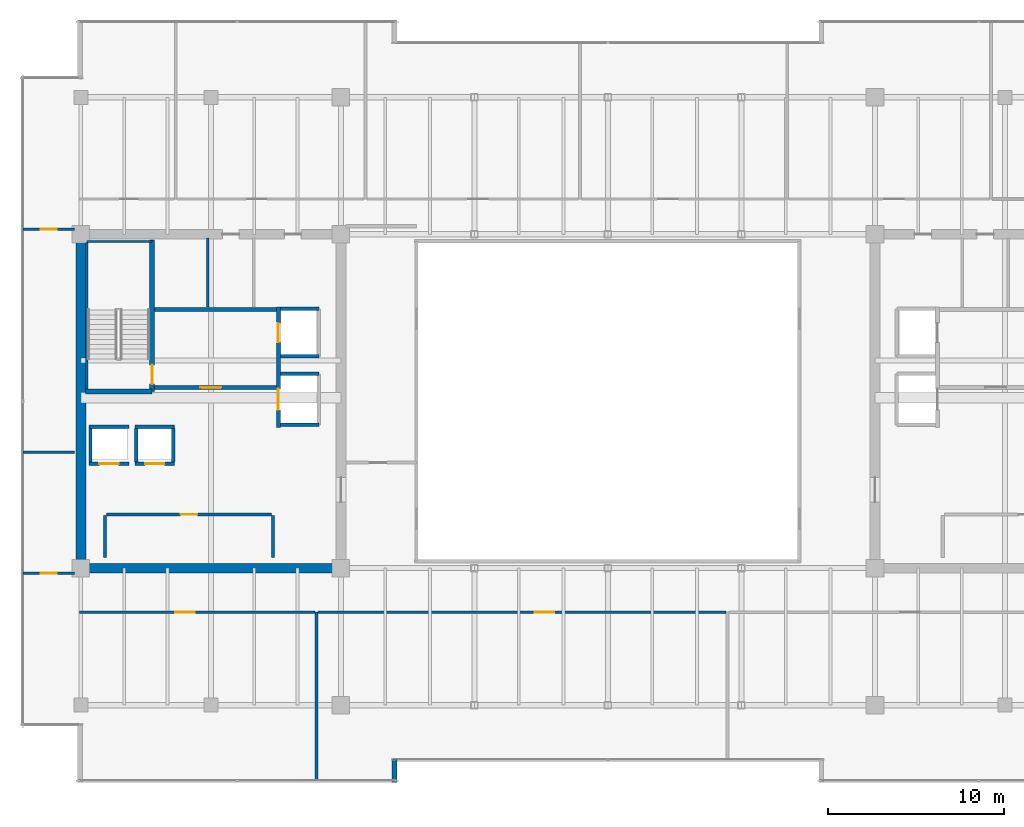
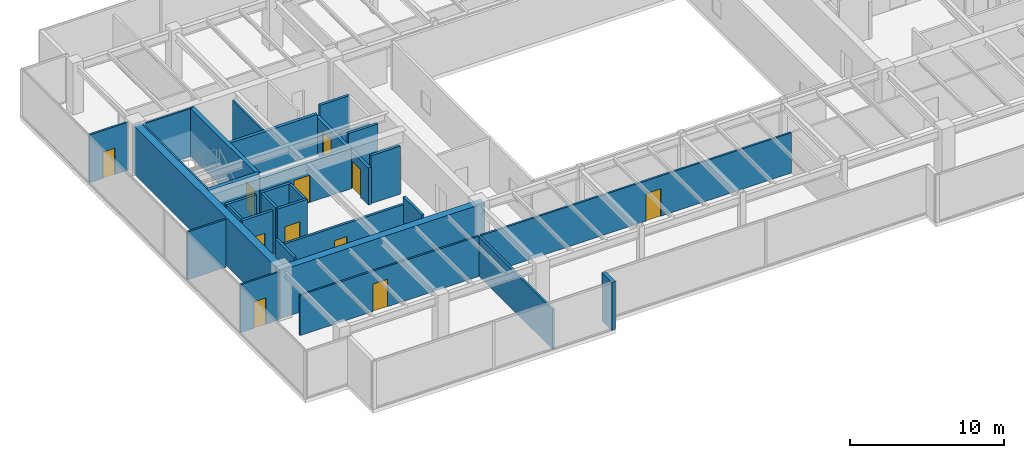
# One storey, part 28 of 33: 31 walls, 11 doors, 11 openings.
"""IFC4 building model written with IfcOpenShell, lengths in metres."""

import ifcopenshell
import ifcopenshell.guid

model = None  # the IFC model being written
_history = None  # IfcOwnerHistory: only IFC2X3 demands one
_inside = {}  # id of a spatial element -> (the spatial element, [elements in it])
_under = {}  # id of a project, library or spatial element -> (it, [spatial elements below it])
_declared = {}  # id of a project -> (the project, [libraries it declares])
_typed = {}  # id of a type object -> (the type object, [elements of that type])
_made_of = {}  # id of a material, layer set ... -> (it, [elements and type objects made of it])


def new_model(schema):
    """Start an empty IFC model of exactly this schema.

    Asked for "IFC4X3", IfcOpenShell would pick the latest addendum, in which some entities
    have other attributes; the version numbers below select the first issue.
    IFC2X3 requires an IfcOwnerHistory on every rooted entity: one is made here for all.
    """
    global model, _history
    if schema == "IFC4X3":
        model = ifcopenshell.file(schema_version=(4, 3, 0, 0))
    else:
        model = ifcopenshell.file(schema=schema)
    _inside.clear()
    _under.clear()
    _declared.clear()
    _typed.clear()
    _made_of.clear()
    _history = None
    if model.schema == "IFC2X3":
        org = make("IfcOrganization", Name="unknown")
        user = make(
            "IfcPersonAndOrganization",
            ThePerson=make("IfcPerson", FamilyName="unknown"),
            TheOrganization=org,
        )
        app = make(
            "IfcApplication",
            ApplicationDeveloper=org,
            Version="unknown",
            ApplicationFullName="unknown",
            ApplicationIdentifier="unknown",
        )
        _history = make(
            "IfcOwnerHistory",
            OwningUser=user,
            OwningApplication=app,
            ChangeAction="ADDED",
            CreationDate=0,
        )
    return model


def make(cls, **values):
    """One entity of the class cls with the attributes given. An attribute that is None is left unset."""
    return model.create_entity(
        cls, **{name: value for name, value in values.items() if value is not None}
    )


def rooted(cls, **values):
    """An entity with a GlobalId (a new one), such as an element, a storey or a relation."""
    return make(cls, GlobalId=ifcopenshell.guid.new(), OwnerHistory=_history, **values)


def si_unit(unit_type, name, prefix=None):
    """IfcSIUnit, for example si_unit("LENGTHUNIT", "METRE", prefix="MILLI")."""
    return make("IfcSIUnit", UnitType=unit_type, Prefix=prefix, Name=name)


def assignment(units):
    """IfcUnitAssignment: the units of a project."""
    return None if units is None else make("IfcUnitAssignment", Units=units)


def point(xyz):
    """IfcCartesianPoint."""
    return None if xyz is None else make("IfcCartesianPoint", Coordinates=xyz)


def direction(xyz):
    """IfcDirection."""
    return None if xyz is None else make("IfcDirection", DirectionRatios=xyz)


def frame(location, z_axis=None, x_axis=None):
    """IfcAxis2Placement3D, a coordinate frame: its origin and axes. An axis left out is left unset."""
    return make(
        "IfcAxis2Placement3D",
        Location=point(location),
        Axis=direction(z_axis),
        RefDirection=direction(x_axis),
    )


def frame_2d(location, x_axis=None):
    """IfcAxis2Placement2D, a coordinate frame in the plane: its origin and x axis."""
    return make(
        "IfcAxis2Placement2D", Location=point(location), RefDirection=direction(x_axis)
    )


def origin():
    """The frame at (0, 0, 0) with its axes left unset."""
    return frame((0.0, 0.0, 0.0))


def place(relative_to, where):
    """IfcLocalPlacement: puts the frame where relative to a parent placement (None: the world)."""
    return make(
        "IfcLocalPlacement", PlacementRelTo=relative_to, RelativePlacement=where
    )


def context(
    kind, dimensions, precision=None, world=None, true_north=None, identifier=None
):
    """IfcGeometricRepresentationContext, for example the 3D "Model" context."""
    return make(
        "IfcGeometricRepresentationContext",
        ContextIdentifier=identifier,
        ContextType=kind,
        CoordinateSpaceDimension=dimensions,
        Precision=precision,
        WorldCoordinateSystem=world,
        TrueNorth=true_north,
    )


def subcontext(parent, identifier, kind, view, scale=None):
    """IfcGeometricRepresentationSubContext, for example "Body" below "Model"."""
    return make(
        "IfcGeometricRepresentationSubContext",
        ContextIdentifier=identifier,
        ContextType=kind,
        ParentContext=parent,
        TargetScale=scale,
        TargetView=view,
    )


def project(units=None, contexts=None):
    """IfcProject with its units and contexts."""
    return rooted(
        "IfcProject",
        Name="project",
        RepresentationContexts=contexts,
        UnitsInContext=assignment(units),
    )


def spatial(cls, under=None, at=None, **own):
    """A site, building, storey or space (cls), placed at a placement, below another one or the project."""
    s = rooted(cls, ObjectPlacement=at, **own)
    if under is not None:
        _under.setdefault(under.id(), (under, []))[1].append(s)
    return s


def profile(cls, at=None, kind="AREA", **sizes):
    """A parametric profile (cls). Its sizes go by their IFC names, for example OverallWidth=200.0."""
    return make(cls, ProfileType=kind, Position=at, **sizes)


def rectangle(**sizes):
    """IfcRectangleProfileDef."""
    return profile("IfcRectangleProfileDef", **sizes)


def extrude(swept, where, along, depth):
    """IfcExtrudedAreaSolid: the profile swept, set in the frame where, extruded along a direction by depth."""
    return make(
        "IfcExtrudedAreaSolid",
        SweptArea=swept,
        Position=where,
        ExtrudedDirection=direction(along),
        Depth=depth,
    )


def shape(context_of_items, identifier, shape_type, items):
    """IfcShapeRepresentation: the items that make up one representation, for example the "Body"."""
    return make(
        "IfcShapeRepresentation",
        ContextOfItems=context_of_items,
        RepresentationIdentifier=identifier,
        RepresentationType=shape_type,
        Items=items,
    )


def source(mapping_origin, context_of_items, identifier, shape_type, items):
    """IfcRepresentationMap: a shape defined once, which mapped items show again and again."""
    return make(
        "IfcRepresentationMap",
        MappingOrigin=mapping_origin,
        MappedRepresentation=shape(context_of_items, identifier, shape_type, items),
    )


def transform(
    local_origin,
    x_axis=None,
    y_axis=None,
    z_axis=None,
    scale=None,
    scale2=None,
    scale3=None,
    uniform=True,
):
    """IfcCartesianTransformationOperator3D, or its non-uniform kind. x_axis, y_axis, z_axis: its Axis1, 2, 3."""
    if uniform:
        return make(
            "IfcCartesianTransformationOperator3D",
            Axis1=direction(x_axis),
            Axis2=direction(y_axis),
            LocalOrigin=point(local_origin),
            Scale=scale,
            Axis3=direction(z_axis),
        )
    return make(
        "IfcCartesianTransformationOperator3DnonUniform",
        Axis1=direction(x_axis),
        Axis2=direction(y_axis),
        LocalOrigin=point(local_origin),
        Scale=scale,
        Axis3=direction(z_axis),
        Scale2=scale2,
        Scale3=scale3,
    )


def mapped(mapping_source, mapping_target):
    """IfcMappedItem: shows the shape of a source again, moved by a transform."""
    return make(
        "IfcMappedItem", MappingSource=mapping_source, MappingTarget=mapping_target
    )


def material(Name=None, Category=None):
    """IfcMaterial."""
    return make("IfcMaterial", Name=Name, Category=Category)


def layer(
    of_material, thickness, ventilated=None, Name=None, Category=None, Priority=None
):
    """IfcMaterialLayer: one layer of a wall or slab, of a material (None: an air gap)."""
    return make(
        "IfcMaterialLayer",
        Material=of_material,
        LayerThickness=thickness,
        IsVentilated=ventilated,
        Name=Name,
        Category=Category,
        Priority=Priority,
    )


def layer_set(layers, Name=None):
    """IfcMaterialLayerSet."""
    return make("IfcMaterialLayerSet", MaterialLayers=layers, LayerSetName=Name)


def made_of(thing, what):
    """Note that an element or type object is made of a material, layer set ...; save() writes the relation."""
    if what is not None:
        _made_of.setdefault(what.id(), (what, []))[1].append(thing)
    return thing


def type_object(cls, material=None, **own):
    """A type object (cls), such as IfcWallType, which elements share."""
    return made_of(rooted(cls, **own), material)


def type_shapes(of_type, sources):
    """Give a type object the sources (RepresentationMaps) that its elements show as mapped items."""
    of_type.RepresentationMaps = sources


def element(
    cls,
    number,
    at=None,
    inside=None,
    cuts=None,
    type_object=None,
    material=None,
    context=None,
    identifier="Body",
    shape_type=None,
    held_by="IfcProductDefinitionShape",
    body=None,
    shapes=None,
    **own,
):
    """One element of the class cls, such as IfcWall. Its Tag is "e" and its number.

    at: its placement. inside: the storey or other place that contains it. cuts: it is an
    opening in that element (IfcRelVoidsElement). A single representation is given by context,
    identifier, shape_type and body (its items); several are given by shapes. held_by: the class
    of the entity that holds the representations. save() writes the other relations.
    """
    e = rooted(cls, Tag="e%d" % number, ObjectPlacement=at, **own)
    if body is not None:
        shapes = [shape(context, identifier, shape_type, body)]
    if shapes is not None:
        e.Representation = make(held_by, Representations=shapes)
    if inside is not None:
        _inside.setdefault(inside.id(), (inside, []))[1].append(e)
    if cuts is not None:
        rooted(
            "IfcRelVoidsElement", RelatingBuildingElement=cuts, RelatedOpeningElement=e
        )
    if type_object is not None:
        _typed.setdefault(type_object.id(), (type_object, []))[1].append(e)
    return made_of(e, material)


def fill(opening, filler):
    """IfcRelFillsElement: the door or window that sits in an opening."""
    return rooted(
        "IfcRelFillsElement",
        RelatingOpeningElement=opening,
        RelatedBuildingElement=filler,
    )


def aggregate(whole, parts):
    """IfcRelAggregates: a whole, such as a stair, and the parts it consists of."""
    return rooted("IfcRelAggregates", RelatingObject=whole, RelatedObjects=parts)


def save(model, path):
    """Write the relations noted so far, then the file.

    IfcRelAggregates (storeys below a building ...), IfcRelContainedInSpatialStructure (elements
    in a storey), IfcRelDefinesByType, IfcRelAssociatesMaterial and IfcRelDeclares: one each for
    every whole, place, type object, material and project.
    """
    for whole, parts in _under.values():
        aggregate(whole, parts)
    for where, things in _inside.values():
        rooted(
            "IfcRelContainedInSpatialStructure",
            RelatedElements=things,
            RelatingStructure=where,
        )
    for kind, things in _typed.values():
        rooted("IfcRelDefinesByType", RelatedObjects=things, RelatingType=kind)
    for what, things in _made_of.values():
        rooted("IfcRelAssociatesMaterial", RelatedObjects=things, RelatingMaterial=what)
    for by, libraries in _declared.values():
        rooted("IfcRelDeclares", RelatingContext=by, RelatedDefinitions=libraries)
    model.write(path)


model = new_model("IFC4")

# Units and contexts
model_context = context("Model", 3, precision=1e-05, world=origin(), true_north=direction((0.0, 1.0)))
body_context = subcontext(model_context, "Body", "Model", "MODEL_VIEW")
ifc_project = project(units=[si_unit("LENGTHUNIT", "METRE"), si_unit("AREAUNIT", "SQUARE_METRE"), si_unit("VOLUMEUNIT", "CUBIC_METRE"), si_unit("PLANEANGLEUNIT", "RADIAN"), si_unit("MASSUNIT", "GRAM", prefix="KILO")], contexts=[model_context])

# Site, building, storey
site_placement = place(None, origin())
site = spatial("IfcSite", under=ifc_project, at=site_placement, CompositionType="ELEMENT")
building_placement = place(site_placement, origin())
building = spatial("IfcBuilding", under=site, at=building_placement, Name="Haelvirn Gate Laboratories", CompositionType="ELEMENT")
storey_placement = place(building_placement, frame((0.0, 0.0, 230.10009765625)))
storey = spatial("IfcBuildingStorey", under=building, at=storey_placement, Name="L55", CompositionType="ELEMENT", Elevation=230.10009765625)

# Walls
ifc_material_1 = material(Name="Thermally-broken bronze aluminium rainscreen & mineral wool", Category="aluminium")
ifc_layer_1 = layer(ifc_material_1, 0.280029296875, Name="EW-TERR-280")
ifc_layer_set_1 = layer_set([ifc_layer_1], Name="Thermally-broken bronze aluminium rainscreen & mineral wool")
wall_type_1 = type_object("IfcWallType", Name="EW-TERR-280", PredefinedType="STANDARD", material=ifc_layer_set_1)
wall_1_placement = place(storey_placement, frame((25.260009765625, 2.60009765625, 0.0), z_axis=(0.0, 0.0, 1.0), x_axis=(0.0, 1.0, 0.0)))
element("IfcWall", 1, at=wall_1_placement, inside=storey, type_object=wall_type_1, Name="L55 Atrium Recess Bronze Return Wall 01", PredefinedType="STANDARD", context=body_context, shape_type="SweptSolid", body=[
    extrude(rectangle(XDim=1.29296875, YDim=0.280029296875, at=frame_2d((0.646484375, 0.0))), origin(), (0.0, 0.0, 1.0), 3.7998046875),
])
ifc_material_2 = material(Name="Double-layer acoustic gypsum laboratory partition", Category="gypsum")
ifc_layer_2 = layer(ifc_material_2, 0.159912109375, Name="IW-ACOUST-160")
ifc_layer_set_2 = layer_set([ifc_layer_2], Name="Double-layer acoustic gypsum laboratory partition")
wall_type_2 = type_object("IfcWallType", Name="IW-ACOUST-160", PredefinedType="PARTITIONING", material=ifc_layer_set_2)
wall_2_placement = place(storey_placement, frame((20.800048828125, 2.7099609375, 0.0), z_axis=(0.0, 0.0, 1.0), x_axis=(0.0, 1.0, 0.0)))
element("IfcWall", 2, at=wall_2_placement, inside=storey, type_object=wall_type_2, Name="L55 Interior Wall IW-L55-SDIV-01", PredefinedType="PARTITIONING", context=body_context, shape_type="SweptSolid", body=[
    extrude(rectangle(XDim=9.580078125, YDim=0.159912109375, at=frame_2d((4.7900390625, 0.0))), origin(), (0.0, 0.0, 1.0), 3.135009765625),
])

# Wall, opening, door
ifc_material_3 = material(Name="Acoustic mineral-wool gypsum board partition", Category="gypsum")
ifc_layer_3 = layer(ifc_material_3, 0.139892578125, Name="IW-PART-140")
ifc_layer_set_3 = layer_set([ifc_layer_3], Name="Acoustic mineral-wool gypsum board partition")
wall_type_3 = type_object("IfcWallType", Name="IW-PART-140", PredefinedType="PARTITIONING", material=ifc_layer_set_3)
wall_3_placement = place(storey_placement, frame((7.31005859375, 12.2900390625, 0.0), z_axis=(0.0, 0.0, 1.0), x_axis=(1.0, 0.0, 0.0)))
wall_3 = element("IfcWall", 3, at=wall_3_placement, inside=storey, type_object=wall_type_3, Name="L55 Interior Wall IW-L55-SCORR-01", PredefinedType="PARTITIONING", context=body_context, shape_type="SweptSolid", body=[
    extrude(rectangle(XDim=13.409912109375, YDim=0.139892578125, at=frame_2d((6.705078125, 0.0))), origin(), (0.0, 0.0, 1.0), 3.197021484375),
])
opening_1_placement = place(wall_3_placement, frame((5.45849609375, 0.0, 0.0)))
opening_1 = element("IfcOpeningElement", 4, at=opening_1_placement, cuts=wall_3, Name="Opening D1", PredefinedType="OPENING", context=body_context, shape_type="SweptSolid", body=[
    extrude(rectangle(XDim=1.10009765625, YDim=2.179931640625, at=frame_2d((0.550048828125, 1.08984375))), frame((0.0, 0.080078125, 0.0), z_axis=(0.0, -1.0, 0.0), x_axis=(1.0, 0.0, 0.0)), (0.0, 0.0, 1.0), 0.159912109375),
])
ifc_material_4 = material(Name="Vision-panel acoustic solid-core timber lab door", Category="wood")
door_type_1 = type_object("IfcDoorType", Name="DR-LAB-1100", OperationType="NOTDEFINED", PredefinedType="DOOR", material=ifc_material_4)
shared_shape_1 = source(origin(), body_context, "Body", "SweptSolid", [
    extrude(rectangle(XDim=1.10009765625, YDim=2.179931640625, at=frame_2d((0.550048828125, 1.08984375))), frame((0.0, 0.02490234375, 0.0), z_axis=(0.0, -1.0, 0.0), x_axis=(1.0, 0.0, 0.0)), (0.0, 0.0, 1.0), 0.050048828125),
])
type_shapes(door_type_1, [shared_shape_1])
door_1_placement = place(opening_1_placement, origin())
door_1 = element("IfcDoor", 5, at=door_1_placement, inside=storey, type_object=door_type_1, Name="L55 Peer-Review Seminar Room Door S1", OperationType="SINGLE_SWING_RIGHT", OverallHeight=2.179931640625, OverallWidth=1.10009765625, PredefinedType="DOOR", context=body_context, shape_type="MappedRepresentation", body=[
    mapped(shared_shape_1, transform((0.0, 0.0, 0.0), scale=1.0)),
])
fill(opening_1, door_1)

wall_4_placement = place(storey_placement, frame((20.8798828125, 12.2900390625, 0.0), z_axis=(0.0, 0.0, 1.0), x_axis=(1.0, 0.0, 0.0)))
wall_4 = element("IfcWall", 6, at=wall_4_placement, inside=storey, type_object=wall_type_3, Name="L55 Interior Wall IW-L55-SCORR-02", PredefinedType="PARTITIONING", context=body_context, shape_type="SweptSolid", body=[
    extrude(rectangle(XDim=23.240234375, YDim=0.139892578125, at=frame_2d((11.6201171875, 0.0))), origin(), (0.0, 0.0, 1.0), 3.197021484375),
])
opening_2_placement = place(wall_4_placement, frame((12.3564453125, 0.0, 0.0)))
opening_2 = element("IfcOpeningElement", 7, at=opening_2_placement, cuts=wall_4, Name="Opening D1", PredefinedType="OPENING", context=body_context, shape_type="SweptSolid", body=[
    extrude(rectangle(XDim=1.10009765625, YDim=2.179931640625, at=frame_2d((0.550048828125, 1.08984375))), frame((0.0, 0.080078125, 0.0), z_axis=(0.0, -1.0, 0.0), x_axis=(1.0, 0.0, 0.0)), (0.0, 0.0, 1.0), 0.159912109375),
])
door_2_placement = place(opening_2_placement, origin())
door_2 = element("IfcDoor", 8, at=door_2_placement, inside=storey, type_object=door_type_1, Name="L55 Colloquium Conference Room Door S2", OperationType="SINGLE_SWING_LEFT", OverallHeight=2.179931640625, OverallWidth=1.10009765625, PredefinedType="DOOR", context=body_context, shape_type="MappedRepresentation", body=[
    mapped(shared_shape_1, transform((0.0, 0.0, 0.0), scale=1.0)),
])
fill(opening_2, door_2)

# Wall
wall_5_placement = place(storey_placement, frame((4.110107421875, 21.39990234375, 0.0), z_axis=(0.0, 0.0, 1.0), x_axis=(1.0, 0.0, 0.0)))
element("IfcWall", 9, at=wall_5_placement, inside=storey, type_object=wall_type_3, Name="L55 Interior Wall IW-L55-WZ3-MID", PredefinedType="PARTITIONING", context=body_context, shape_type="SweptSolid", body=[
    extrude(rectangle(XDim=2.909912109375, YDim=0.139892578125, at=frame_2d((1.455078125, 0.0))), origin(), (0.0, 0.0, 1.0), 3.7998046875),
])

# Wall, opening, door
wall_6_placement = place(storey_placement, frame((4.110107421875, 14.5048828125, 0.0), z_axis=(0.0, 0.0, 1.0), x_axis=(1.0, 0.0, 0.0)))
wall_6 = element("IfcWall", 10, at=wall_6_placement, inside=storey, type_object=wall_type_3, Name="L55 Interior Wall IW-L55-WZ3-ENT-S", PredefinedType="PARTITIONING", context=body_context, shape_type="SweptSolid", body=[
    extrude(rectangle(XDim=2.909912109375, YDim=0.139892578125, at=frame_2d((1.455078125, 0.0))), origin(), (0.0, 0.0, 1.0), 3.7998046875),
])
opening_3_placement = place(wall_6_placement, frame((1.0048828125, 0.0, 0.0)))
opening_3 = element("IfcOpeningElement", 11, at=opening_3_placement, cuts=wall_6, Name="Opening D4", PredefinedType="OPENING", context=body_context, shape_type="SweptSolid", body=[
    extrude(rectangle(XDim=0.89990234375, YDim=2.10009765625, at=frame_2d((0.449951171875, 1.050048828125))), frame((0.0, 0.080078125, 0.0), z_axis=(0.0, -1.0, 0.0), x_axis=(1.0, 0.0, 0.0)), (0.0, 0.0, 1.0), 0.159912109375),
])
ifc_material_5 = material(Name="Glazed aluminium-framed write-up door", Category="aluminium")
door_type_2 = type_object("IfcDoorType", Name="DR-OFF-900", OperationType="NOTDEFINED", PredefinedType="DOOR", material=ifc_material_5)
shared_shape_2 = source(origin(), body_context, "Body", "SweptSolid", [
    extrude(rectangle(XDim=0.89990234375, YDim=2.10009765625, at=frame_2d((0.449951171875, 1.050048828125))), frame((0.0, 0.02490234375, 0.0), z_axis=(0.0, -1.0, 0.0), x_axis=(1.0, 0.0, 0.0)), (0.0, 0.0, 1.0), 0.050048828125),
])
type_shapes(door_type_2, [shared_shape_2])
door_3_placement = place(opening_3_placement, origin())
door_3 = element("IfcDoor", 12, at=door_3_placement, inside=storey, type_object=door_type_2, Name="L55 Translational Data Office Door W-S", OperationType="SINGLE_SWING_LEFT", OverallHeight=2.10009765625, OverallWidth=0.89990234375, PredefinedType="DOOR", context=body_context, shape_type="MappedRepresentation", body=[
    mapped(shared_shape_2, transform((0.0, 0.0, 0.0), scale=1.0)),
])
fill(opening_3, door_3)

wall_7_placement = place(storey_placement, frame((4.110107421875, 34.094970703125, 0.0), z_axis=(0.0, 0.0, 1.0), x_axis=(1.0, 0.0, 0.0)))
wall_7 = element("IfcWall", 13, at=wall_7_placement, inside=storey, type_object=wall_type_3, Name="L55 Interior Wall IW-L55-WZ3-ENT-N", PredefinedType="PARTITIONING", context=body_context, shape_type="SweptSolid", body=[
    extrude(rectangle(XDim=2.909912109375, YDim=0.139892578125, at=frame_2d((1.455078125, 0.0))), origin(), (0.0, 0.0, 1.0), 3.7998046875),
])
opening_4_placement = place(wall_7_placement, frame((1.0048828125, 0.0, 0.0)))
opening_4 = element("IfcOpeningElement", 14, at=opening_4_placement, cuts=wall_7, Name="Opening D4", PredefinedType="OPENING", context=body_context, shape_type="SweptSolid", body=[
    extrude(rectangle(XDim=0.89990234375, YDim=2.10009765625, at=frame_2d((0.449951171875, 1.050048828125))), frame((0.0, 0.080078125, 0.0), z_axis=(0.0, -1.0, 0.0), x_axis=(1.0, 0.0, 0.0)), (0.0, 0.0, 1.0), 0.159912109375),
])
door_4_placement = place(opening_4_placement, origin())
door_4 = element("IfcDoor", 15, at=door_4_placement, inside=storey, type_object=door_type_2, Name="L55 Researcher Break Pantry Door W-N", OperationType="SINGLE_SWING_RIGHT", OverallHeight=2.10009765625, OverallWidth=0.89990234375, PredefinedType="DOOR", context=body_context, shape_type="MappedRepresentation", body=[
    mapped(shared_shape_2, transform((0.0, 0.0, 0.0), scale=1.0)),
])
fill(opening_4, door_4)

# Walls
ifc_material_6 = material(Name="Cement-board restroom plumbing chase wall", Category="gypsum")
ifc_layer_4 = layer(ifc_material_6, 0.155029296875, Name="IW-PLUMB-160")
ifc_layer_set_4 = layer_set([ifc_layer_4], Name="Cement-board restroom plumbing chase wall")
wall_type_4 = type_object("IfcWallType", Name="IW-PLUMB-160", PredefinedType="PLUMBINGWALL", material=ifc_layer_set_4)
wall_8_placement = place(storey_placement, frame((14.610107421875, 29.64990234375, 0.0), z_axis=(0.0, 0.0, 1.0), x_axis=(0.0, 1.0, 0.0)))
element("IfcWall", 16, at=wall_8_placement, inside=storey, type_object=wall_type_4, Name="L55 Interior Wall IW-L55-W-CDIV-0", PredefinedType="PLUMBINGWALL", context=body_context, shape_type="SweptSolid", body=[
    extrude(rectangle(XDim=3.93017578125, YDim=0.155029296875, at=frame_2d((1.965087890625, 0.0))), origin(), (0.0, 0.0, 1.0), 3.197021484375),
])
ifc_material_7 = material(Name="Concrete C40/50", Category="concrete")
ifc_layer_5 = layer(ifc_material_7, 0.179931640625, Name="IW-SHAFT-180")
ifc_layer_set_5 = layer_set([ifc_layer_5], Name="Concrete C40/50")
wall_type_5 = type_object("IfcWallType", Name="IW-SHAFT-180", PredefinedType="SOLIDWALL", material=ifc_layer_set_5)
for number, where, z_axis, x_axis, name in (
    (17, (7.949951171875, 20.85009765625, 0.0), (0.0, 0.0, 1.0), (0.0, 1.0, 0.0), "L55 Interior Wall IW-L55-PL9-SD"),
    (18, (10.550048828125, 20.85009765625, 0.0), (0.0, 0.0, 1.0), (0.0, 1.0, 0.0), "L55 Interior Wall IW-L55-PL10-SD"),
    (19, (12.64990234375, 20.85009765625, 0.0), (0.0, 0.0, 1.0), (0.0, 1.0, 0.0), "L55 Interior Wall IW-L55-PL10-SDE"),
):
    element("IfcWall", number, at=place(storey_placement, frame(where, z_axis=z_axis, x_axis=x_axis)), inside=storey, type_object=wall_type_5, Name=name, PredefinedType="SOLIDWALL", context=body_context, shape_type="SweptSolid", body=[
        extrude(rectangle(XDim=1.89990234375, YDim=0.179931640625, at=frame_2d((0.949951171875, 0.0))), origin(), (0.0, 0.0, 1.0), 3.7998046875),
    ])

# Wall, opening, door
wall_9_placement = place(storey_placement, frame((8.85009765625, 17.85009765625, 0.0), z_axis=(0.0, 0.0, 1.0), x_axis=(1.0, 0.0, 0.0)))
wall_9 = element("IfcWall", 20, at=wall_9_placement, inside=storey, type_object=wall_type_5, Name="L55 Interior Wall IW-L55-W-FREED-HN-1", PredefinedType="SOLIDWALL", context=body_context, shape_type="SweptSolid", body=[
    extrude(rectangle(XDim=9.39990234375, YDim=0.179931640625, at=frame_2d((4.699951171875, 0.0))), origin(), (0.0, 0.0, 1.0), 3.197021484375),
])
opening_5_placement = place(wall_9_placement, frame((4.22509765625, 0.0, 0.0)))
opening_5 = element("IfcOpeningElement", 21, at=opening_5_placement, cuts=wall_9, Name="Opening FD4", PredefinedType="OPENING", context=body_context, shape_type="SweptSolid", body=[
    extrude(rectangle(XDim=0.949951171875, YDim=2.14990234375, at=frame_2d((0.47509765625, 1.074951171875))), frame((0.0, 0.10009765625, 0.0), z_axis=(0.0, -1.0, 0.0), x_axis=(1.0, 0.0, 0.0)), (0.0, 0.0, 1.0), 0.199951171875),
])
ifc_material_8 = material(Name="Fire-rated steel SM355 core service door", Category="steel")
door_type_3 = type_object("IfcDoorType", Name="DR-FD-950", OperationType="NOTDEFINED", PredefinedType="DOOR", material=ifc_material_8)
shared_shape_3 = source(origin(), body_context, "Body", "SweptSolid", [
    extrude(rectangle(XDim=0.949951171875, YDim=2.14990234375, at=frame_2d((0.47509765625, 1.074951171875))), frame((0.0, 0.02490234375, 0.0), z_axis=(0.0, -1.0, 0.0), x_axis=(1.0, 0.0, 0.0)), (0.0, 0.0, 1.0), 0.050048828125),
])
type_shapes(door_type_3, [shared_shape_3])
door_5_placement = place(opening_5_placement, origin())
door_5 = element("IfcDoor", 22, at=door_5_placement, inside=storey, type_object=door_type_3, Name="L55 Core Metrology & Calibration Laboratory Door", OperationType="SINGLE_SWING_LEFT", OverallHeight=2.14990234375, OverallWidth=0.949951171875, PredefinedType="DOOR", context=body_context, shape_type="MappedRepresentation", body=[
    mapped(shared_shape_3, transform((0.0, 0.0, 0.0), scale=1.0)),
])
fill(opening_5, door_5)

# Walls
for number, where, z_axis, x_axis, name in (
    (23, (18.340087890625, 15.39990234375, 0.0), (0.0, 0.0, 1.0), (0.0, 1.0, 0.0), "L55 Interior Wall IW-L55-W-FREED-HE-1"),
    (24, (8.760009765625, 15.39990234375, 0.0), (0.0, 0.0, 1.0), (0.0, 1.0, 0.0), "L55 Interior Wall IW-L55-W-FREED-HW-1"),
):
    element("IfcWall", number, at=place(storey_placement, frame(where, z_axis=z_axis, x_axis=x_axis)), inside=storey, type_object=wall_type_5, Name=name, PredefinedType="SOLIDWALL", context=body_context, shape_type="SweptSolid", body=[
        extrude(rectangle(XDim=2.400146484375, YDim=0.179931640625, at=frame_2d((1.2001953125, 0.0))), origin(), (0.0, 0.0, 1.0), 3.7998046875),
    ])

# Wall, opening, door
ifc_layer_6 = layer(ifc_material_7, 0.199951171875, Name="IW-SHAFT-200")
ifc_layer_set_6 = layer_set([ifc_layer_6], Name="Concrete C40/50")
wall_type_6 = type_object("IfcWallType", Name="IW-SHAFT-200", PredefinedType="SOLIDWALL", material=ifc_layer_set_6)
wall_10_placement = place(storey_placement, frame((7.8701171875, 20.75, 0.0), z_axis=(0.0, 0.0, 1.0), x_axis=(1.0, 0.0, 0.0)))
wall_10 = element("IfcWall", 25, at=wall_10_placement, inside=storey, type_object=wall_type_6, Name="L55 Interior Wall IW-L55-PL9-FR", PredefinedType="SOLIDWALL", context=body_context, shape_type="SweptSolid", body=[
    extrude(rectangle(XDim=2.259765625, YDim=0.199951171875, at=frame_2d((1.1298828125, 0.0))), origin(), (0.0, 0.0, 1.0), 3.7998046875),
])
opening_6_placement = place(wall_10_placement, frame((0.580078125, 0.0, 0.0)))
opening_6 = element("IfcOpeningElement", 26, at=opening_6_placement, cuts=wall_10, Name="Opening LD2", PredefinedType="OPENING", context=body_context, shape_type="SweptSolid", body=[
    extrude(rectangle(XDim=1.10009765625, YDim=2.219970703125, at=frame_2d((0.550048828125, 1.10986328125))), frame((0.0, 0.10986328125, 0.0), z_axis=(0.0, -1.0, 0.0), x_axis=(1.0, 0.0, 0.0)), (0.0, 0.0, 1.0), 0.219970703125),
])
ifc_material_9 = material(Name="Bronze stainless 316L sliding lift landing door")
door_type_4 = type_object("IfcDoorType", Name="DR-LD-1100", OperationType="NOTDEFINED", PredefinedType="USERDEFINED", material=ifc_material_9)
shared_shape_4 = source(origin(), body_context, "Body", "SweptSolid", [
    extrude(rectangle(XDim=1.10009765625, YDim=2.219970703125, at=frame_2d((0.550048828125, 1.10986328125))), frame((0.0, 0.02490234375, 0.0), z_axis=(0.0, -1.0, 0.0), x_axis=(1.0, 0.0, 0.0)), (0.0, 0.0, 1.0), 0.050048828125),
])
type_shapes(door_type_4, [shared_shape_4])
door_6_placement = place(opening_6_placement, origin())
door_6 = element("IfcDoor", 27, at=door_6_placement, inside=storey, type_object=door_type_4, Name="L55 Passenger Lift PL9 Landing Door", ObjectType="LANDING_DOOR", OperationType="SLIDING_TO_LEFT", OverallHeight=2.219970703125, OverallWidth=1.10009765625, PredefinedType="USERDEFINED", context=body_context, shape_type="MappedRepresentation", body=[
    mapped(shared_shape_4, transform((0.0, 0.0, 0.0), scale=1.0)),
])
fill(opening_6, door_6)

# Wall
wall_11_placement = place(storey_placement, frame((7.8701171875, 22.85009765625, 0.0), z_axis=(0.0, 0.0, 1.0), x_axis=(1.0, 0.0, 0.0)))
element("IfcWall", 28, at=wall_11_placement, inside=storey, type_object=wall_type_6, Name="L55 Interior Wall IW-L55-PL9-BK", PredefinedType="SOLIDWALL", context=body_context, shape_type="SweptSolid", body=[
    extrude(rectangle(XDim=2.259765625, YDim=0.199951171875, at=frame_2d((1.1298828125, 0.0))), origin(), (0.0, 0.0, 1.0), 3.7998046875),
])

# Wall, opening, door
wall_12_placement = place(storey_placement, frame((10.469970703125, 20.75, 0.0), z_axis=(0.0, 0.0, 1.0), x_axis=(1.0, 0.0, 0.0)))
wall_12 = element("IfcWall", 29, at=wall_12_placement, inside=storey, type_object=wall_type_6, Name="L55 Interior Wall IW-L55-PL10-FR", PredefinedType="SOLIDWALL", context=body_context, shape_type="SweptSolid", body=[
    extrude(rectangle(XDim=2.260009765625, YDim=0.199951171875, at=frame_2d((1.1298828125, 0.0))), origin(), (0.0, 0.0, 1.0), 3.7998046875),
])
opening_7_placement = place(wall_12_placement, frame((0.580078125, 0.0, 0.0)))
opening_7 = element("IfcOpeningElement", 30, at=opening_7_placement, cuts=wall_12, Name="Opening LD2", PredefinedType="OPENING", context=body_context, shape_type="SweptSolid", body=[
    extrude(rectangle(XDim=1.10009765625, YDim=2.219970703125, at=frame_2d((0.550048828125, 1.10986328125))), frame((0.0, 0.10986328125, 0.0), z_axis=(0.0, -1.0, 0.0), x_axis=(1.0, 0.0, 0.0)), (0.0, 0.0, 1.0), 0.219970703125),
])
door_7_placement = place(opening_7_placement, origin())
door_7 = element("IfcDoor", 31, at=door_7_placement, inside=storey, type_object=door_type_4, Name="L55 Passenger Lift PL10 Landing Door", ObjectType="LANDING_DOOR", OperationType="SLIDING_TO_RIGHT", OverallHeight=2.219970703125, OverallWidth=1.10009765625, PredefinedType="USERDEFINED", context=body_context, shape_type="MappedRepresentation", body=[
    mapped(shared_shape_4, transform((0.0, 0.0, 0.0), scale=1.0)),
])
fill(opening_7, door_7)

# Walls
wall_13_placement = place(storey_placement, frame((10.469970703125, 22.85009765625, 0.0), z_axis=(0.0, 0.0, 1.0), x_axis=(1.0, 0.0, 0.0)))
element("IfcWall", 32, at=wall_13_placement, inside=storey, type_object=wall_type_6, Name="L55 Interior Wall IW-L55-PL10-BK", PredefinedType="SOLIDWALL", context=body_context, shape_type="SweptSolid", body=[
    extrude(rectangle(XDim=2.260009765625, YDim=0.199951171875, at=frame_2d((1.1298828125, 0.0))), origin(), (0.0, 0.0, 1.0), 3.7998046875),
])
wall_14_placement = place(storey_placement, frame((18.760009765625, 29.550048828125, 0.0), z_axis=(0.0, 0.0, 1.0), x_axis=(1.0, 0.0, 0.0)))
element("IfcWall", 33, at=wall_14_placement, inside=storey, type_object=wall_type_6, Name="L55 Interior Wall IW-L55-FL1-N", PredefinedType="SOLIDWALL", context=body_context, shape_type="SweptSolid", body=[
    extrude(rectangle(XDim=2.18994140625, YDim=0.199951171875, at=frame_2d((1.094970703125, 0.0))), origin(), (0.0, 0.0, 1.0), 3.7998046875),
])
wall_15_placement = place(storey_placement, frame((18.760009765625, 26.85009765625, 0.0), z_axis=(0.0, 0.0, 1.0), x_axis=(1.0, 0.0, 0.0)))
element("IfcWall", 34, at=wall_15_placement, inside=storey, type_object=wall_type_6, Name="L55 Interior Wall IW-L55-FL1-S", PredefinedType="SOLIDWALL", context=body_context, shape_type="SweptSolid", body=[
    extrude(rectangle(XDim=2.18994140625, YDim=0.199951171875, at=frame_2d((1.094970703125, 0.0))), origin(), (0.0, 0.0, 1.0), 3.197021484375),
])
for number, where, z_axis, x_axis, name in (
    (35, (18.760009765625, 25.85009765625, 0.0), (0.0, 0.0, 1.0), (1.0, 0.0, 0.0), "L55 Interior Wall IW-L55-SL1-N"),
    (36, (18.760009765625, 22.949951171875, 0.0), (0.0, 0.0, 1.0), (1.0, 0.0, 0.0), "L55 Interior Wall IW-L55-SL1-S"),
):
    element("IfcWall", number, at=place(storey_placement, frame(where, z_axis=z_axis, x_axis=x_axis)), inside=storey, type_object=wall_type_6, Name=name, PredefinedType="SOLIDWALL", context=body_context, shape_type="SweptSolid", body=[
        extrude(rectangle(XDim=2.18994140625, YDim=0.199951171875, at=frame_2d((1.094970703125, 0.0))), origin(), (0.0, 0.0, 1.0), 3.7998046875),
    ])

# Wall, opening, door
ifc_layer_7 = layer(ifc_material_7, 0.239990234375, Name="IW-SHAFT-240")
ifc_layer_set_7 = layer_set([ifc_layer_7], Name="Concrete C40/50")
wall_type_7 = type_object("IfcWallType", Name="IW-SHAFT-240", PredefinedType="SOLIDWALL", material=ifc_layer_set_7)
wall_16_placement = place(storey_placement, frame((11.60009765625, 25.080078125, 0.0), z_axis=(0.0, 0.0, 1.0), x_axis=(1.0, 0.0, 0.0)))
wall_16 = element("IfcWall", 37, at=wall_16_placement, inside=storey, type_object=wall_type_7, Name="L55 Interior Wall IW-L55-W-FF-S", PredefinedType="SOLIDWALL", context=body_context, shape_type="SweptSolid", body=[
    extrude(rectangle(XDim=6.919921875, YDim=0.239990234375, at=frame_2d((3.4599609375, 0.0))), origin(), (0.0, 0.0, 1.0), 3.197021484375),
])
opening_8_placement = place(wall_16_placement, frame((2.60009765625, 0.0, 0.0)))
opening_8 = element("IfcOpeningElement", 38, at=opening_8_placement, cuts=wall_16, Name="Opening FD2", PredefinedType="OPENING", context=body_context, shape_type="SweptSolid", body=[
    extrude(rectangle(XDim=1.199951171875, YDim=2.159912109375, at=frame_2d((0.60009765625, 1.080078125))), frame((0.0, 0.1298828125, 0.0), z_axis=(0.0, -1.0, 0.0), x_axis=(1.0, 0.0, 0.0)), (0.0, 0.0, 1.0), 0.260009765625),
])
ifc_material_10 = material(Name="Fire-rated steel SM355 compartment door", Category="steel")
door_type_5 = type_object("IfcDoorType", Name="DR-FD-1200", OperationType="NOTDEFINED", PredefinedType="DOOR", material=ifc_material_10)
shared_shape_5 = source(origin(), body_context, "Body", "SweptSolid", [
    extrude(rectangle(XDim=1.199951171875, YDim=2.159912109375, at=frame_2d((0.60009765625, 1.080078125))), frame((0.0, 0.02490234375, 0.0), z_axis=(0.0, -1.0, 0.0), x_axis=(1.0, 0.0, 0.0)), (0.0, 0.0, 1.0), 0.050048828125),
])
type_shapes(door_type_5, [shared_shape_5])
door_8_placement = place(opening_8_placement, origin())
door_8 = element("IfcDoor", 39, at=door_8_placement, inside=storey, type_object=door_type_5, Name="L55 West Firefighting Lobby Door", OperationType="SINGLE_SWING_RIGHT", OverallHeight=2.159912109375, OverallWidth=1.199951171875, PredefinedType="DOOR", context=body_context, shape_type="MappedRepresentation", body=[
    mapped(shared_shape_5, transform((0.0, 0.0, 0.0), scale=1.0)),
])
fill(opening_8, door_8)

# Wall
wall_17_placement = place(storey_placement, frame((11.60009765625, 29.52001953125, 0.0), z_axis=(0.0, 0.0, 1.0), x_axis=(1.0, 0.0, 0.0)))
element("IfcWall", 40, at=wall_17_placement, inside=storey, type_object=wall_type_7, Name="L55 Interior Wall IW-L55-W-FF-N", PredefinedType="SOLIDWALL", context=body_context, shape_type="SweptSolid", body=[
    extrude(rectangle(XDim=6.919921875, YDim=0.239990234375, at=frame_2d((3.4599609375, 0.0))), origin(), (0.0, 0.0, 1.0), 3.197021484375),
])

# Wall, openings, doors
wall_18_placement = place(storey_placement, frame((18.639892578125, 22.800048828125, 0.0), z_axis=(0.0, 0.0, 1.0), x_axis=(0.0, 1.0, 0.0)))
wall_18 = element("IfcWall", 41, at=wall_18_placement, inside=storey, type_object=wall_type_7, Name="L55 Interior Wall IW-L55-W-FF-E", PredefinedType="SOLIDWALL", context=body_context, shape_type="SweptSolid", body=[
    extrude(rectangle(XDim=6.849853515625, YDim=0.239990234375, at=frame_2d((3.4248046875, 0.0))), origin(), (0.0, 0.0, 1.0), 2.934814453125),
])
opening_9_placement = place(wall_18_placement, frame((4.85009765625, 0.0, 0.0)))
opening_9 = element("IfcOpeningElement", 42, at=opening_9_placement, cuts=wall_18, Name="Opening LD2", PredefinedType="OPENING", context=body_context, shape_type="SweptSolid", body=[
    extrude(rectangle(XDim=1.10009765625, YDim=2.219970703125, at=frame_2d((0.550048828125, 1.10986328125))), frame((0.0, 0.1298828125, 0.0), z_axis=(0.0, -1.0, 0.0), x_axis=(1.0, 0.0, 0.0)), (0.0, 0.0, 1.0), 0.260009765625),
])
opening_10_placement = place(wall_18_placement, frame((1.0, 0.0, 0.0)))
opening_10 = element("IfcOpeningElement", 43, at=opening_10_placement, cuts=wall_18, Name="Opening LD1", PredefinedType="OPENING", context=body_context, shape_type="SweptSolid", body=[
    extrude(rectangle(XDim=1.199951171875, YDim=2.219970703125, at=frame_2d((0.60009765625, 1.10986328125))), frame((0.0, 0.1298828125, 0.0), z_axis=(0.0, -1.0, 0.0), x_axis=(1.0, 0.0, 0.0)), (0.0, 0.0, 1.0), 0.260009765625),
])
door_9_placement = place(opening_9_placement, origin())
door_9 = element("IfcDoor", 44, at=door_9_placement, inside=storey, type_object=door_type_4, Name="L55 Firefighting Lift FL1 Landing Door", ObjectType="LANDING_DOOR", OperationType="SLIDING_TO_LEFT", OverallHeight=2.219970703125, OverallWidth=1.10009765625, PredefinedType="USERDEFINED", context=body_context, shape_type="MappedRepresentation", body=[
    mapped(shared_shape_4, transform((0.0, 0.0, 0.0), scale=1.0)),
])
fill(opening_9, door_9)
ifc_material_11 = material(Name="Stainless steel 316L sliding goods landing door", Category="steel")
door_type_6 = type_object("IfcDoorType", Name="DR-LD-1200", OperationType="NOTDEFINED", PredefinedType="USERDEFINED", material=ifc_material_11)
shared_shape_6 = source(origin(), body_context, "Body", "SweptSolid", [
    extrude(rectangle(XDim=1.199951171875, YDim=2.219970703125, at=frame_2d((0.60009765625, 1.10986328125))), frame((0.0, 0.02490234375, 0.0), z_axis=(0.0, -1.0, 0.0), x_axis=(1.0, 0.0, 0.0)), (0.0, 0.0, 1.0), 0.050048828125),
])
type_shapes(door_type_6, [shared_shape_6])
door_10_placement = place(opening_10_placement, origin())
door_10 = element("IfcDoor", 45, at=door_10_placement, inside=storey, type_object=door_type_6, Name="L55 Service Lift SL1 Landing Door", ObjectType="LANDING_DOOR", OperationType="SLIDING_TO_RIGHT", OverallHeight=2.219970703125, OverallWidth=1.199951171875, PredefinedType="USERDEFINED", context=body_context, shape_type="MappedRepresentation", body=[
    mapped(shared_shape_6, transform((0.0, 0.0, 0.0), scale=1.0)),
])
fill(opening_10, door_10)

# Walls
ifc_material_12 = material(Name="Concrete C50/60", Category="concrete")
ifc_layer_8 = layer(ifc_material_12, 0.550048828125, Name="SW-CORE-550")
ifc_layer_set_8 = layer_set([ifc_layer_8], Name="Concrete C50/60")
wall_type_8 = type_object("IfcWallType", Name="SW-CORE-550", PredefinedType="SHEAR", material=ifc_layer_set_8)
wall_19_placement = place(storey_placement, frame((7.125, 14.800048828125, 0.0), z_axis=(0.0, 0.0, 1.0), x_axis=(1.0, 0.0, 0.0)))
element("IfcWall", 46, at=wall_19_placement, inside=storey, type_object=wall_type_8, Name="L55 W Core Shear Wall S", PredefinedType="SHEAR", context=body_context, shape_type="SweptSolid", body=[
    extrude(rectangle(XDim=15.35009765625, YDim=0.550048828125, at=frame_2d((7.675048828125, 0.0))), origin(), (0.0, 0.0, 1.0), 3.7998046875),
])
wall_20_placement = place(storey_placement, frame((7.39990234375, 15.074951171875, 0.0), z_axis=(0.0, 0.0, 1.0), x_axis=(0.0, 1.0, 0.0)))
element("IfcWall", 47, at=wall_20_placement, inside=storey, type_object=wall_type_8, Name="L55 W Core Shear Wall W", PredefinedType="SHEAR", context=body_context, shape_type="SweptSolid", body=[
    extrude(rectangle(XDim=18.449951171875, YDim=0.550048828125, at=frame_2d((9.22509765625, 0.0))), origin(), (0.0, 0.0, 1.0), 3.7998046875),
])
ifc_layer_9 = layer(ifc_material_12, 0.1201171875, Name="SW-LINER-120")
ifc_layer_set_9 = layer_set([ifc_layer_9], Name="Concrete C50/60")
wall_type_9 = type_object("IfcWallType", Name="SW-LINER-120", PredefinedType="SOLIDWALL", material=ifc_layer_set_9)
wall_21_placement = place(storey_placement, frame((7.72998046875, 33.39990234375, 0.0), z_axis=(0.0, 0.0, 1.0), x_axis=(1.0, 0.0, 0.0)))
element("IfcWall", 48, at=wall_21_placement, inside=storey, type_object=wall_type_9, Name="L55 W Core Stair Shaft Liner Wall N", PredefinedType="SOLIDWALL", context=body_context, shape_type="SweptSolid", body=[
    extrude(rectangle(XDim=3.719970703125, YDim=0.1201171875, at=frame_2d((1.85986328125, 0.0))), origin(), (0.0, 0.0, 1.0), 3.7998046875),
])
wall_22_placement = place(storey_placement, frame((7.72998046875, 25.0, 0.0), z_axis=(0.0, 0.0, 1.0), x_axis=(0.0, 1.0, 0.0)))
element("IfcWall", 49, at=wall_22_placement, inside=storey, type_object=wall_type_9, Name="L55 W Core Stair Shaft Liner Wall OUT", PredefinedType="SOLIDWALL", context=body_context, shape_type="SweptSolid", body=[
    extrude(rectangle(XDim=8.320068359375, YDim=0.1201171875, at=frame_2d((4.16015625, 0.0))), origin(), (0.0, 0.0, 1.0), 3.7998046875),
])

# Wall, opening, door
ifc_layer_10 = layer(ifc_material_12, 0.300048828125, Name="SW-STAIR-300")
ifc_layer_set_10 = layer_set([ifc_layer_10], Name="Concrete C50/60")
wall_type_10 = type_object("IfcWallType", Name="SW-STAIR-300", PredefinedType="SHEAR", material=ifc_layer_set_10)
wall_23_placement = place(storey_placement, frame((11.449951171875, 24.85009765625, 0.0), z_axis=(0.0, 0.0, 1.0), x_axis=(0.0, 1.0, 0.0)))
wall_23 = element("IfcWall", 50, at=wall_23_placement, inside=storey, type_object=wall_type_10, Name="L55 W Core Stair Shaft Structural Wall IN", PredefinedType="SHEAR", context=body_context, shape_type="SweptSolid", body=[
    extrude(rectangle(XDim=8.6298828125, YDim=0.300048828125, at=frame_2d((4.31494140625, 0.0))), origin(), (0.0, 0.0, 1.0), 3.7998046875),
])
opening_11_placement = place(wall_23_placement, frame((0.419921875, 0.0, 0.0)))
opening_11 = element("IfcOpeningElement", 51, at=opening_11_placement, cuts=wall_23, Name="Opening FD3", PredefinedType="OPENING", context=body_context, shape_type="SweptSolid", body=[
    extrude(rectangle(XDim=1.10009765625, YDim=2.14990234375, at=frame_2d((0.550048828125, 1.074951171875))), frame((0.0, 0.16015625, 0.0), z_axis=(0.0, -1.0, 0.0), x_axis=(1.0, 0.0, 0.0)), (0.0, 0.0, 1.0), 0.320068359375),
])
ifc_material_13 = material(Name="Fire-rated steel SM355 escape stair door", Category="steel")
door_type_7 = type_object("IfcDoorType", Name="DR-FD-1100", OperationType="NOTDEFINED", PredefinedType="DOOR", material=ifc_material_13)
shared_shape_7 = source(origin(), body_context, "Body", "SweptSolid", [
    extrude(rectangle(XDim=1.10009765625, YDim=2.14990234375, at=frame_2d((0.550048828125, 1.074951171875))), frame((0.0, 0.02490234375, 0.0), z_axis=(0.0, -1.0, 0.0), x_axis=(1.0, 0.0, 0.0)), (0.0, 0.0, 1.0), 0.050048828125),
])
type_shapes(door_type_7, [shared_shape_7])
door_11_placement = place(opening_11_placement, origin())
door_11 = element("IfcDoor", 52, at=door_11_placement, inside=storey, type_object=door_type_7, Name="L55 Escape Stair ST1 Fire Door", OperationType="SINGLE_SWING_LEFT", OverallHeight=2.14990234375, OverallWidth=1.10009765625, PredefinedType="DOOR", context=body_context, shape_type="MappedRepresentation", body=[
    mapped(shared_shape_7, transform((0.0, 0.0, 0.0), scale=1.0)),
])
fill(opening_11, door_11)

# Wall
wall_24_placement = place(storey_placement, frame((7.64990234375, 24.85009765625, 0.0), z_axis=(0.0, 0.0, 1.0), x_axis=(1.0, 0.0, 0.0)))
element("IfcWall", 53, at=wall_24_placement, inside=storey, type_object=wall_type_10, Name="L55 W Core Stair Shaft Structural Wall S", PredefinedType="SHEAR", context=body_context, shape_type="SweptSolid", body=[
    extrude(rectangle(XDim=3.800048828125, YDim=0.300048828125, at=frame_2d((1.89990234375, 0.0))), origin(), (0.0, 0.0, 1.0), 3.7998046875),
])

save(model, "model.ifc")
